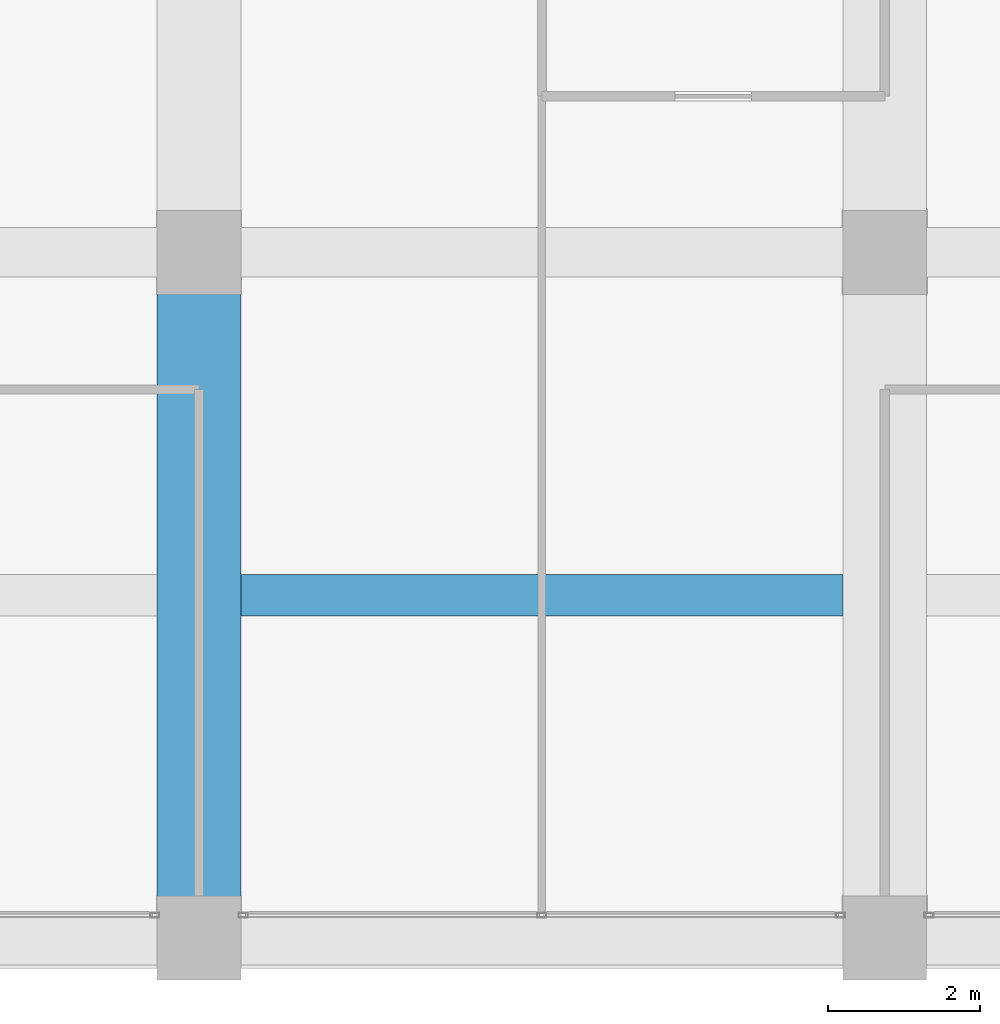
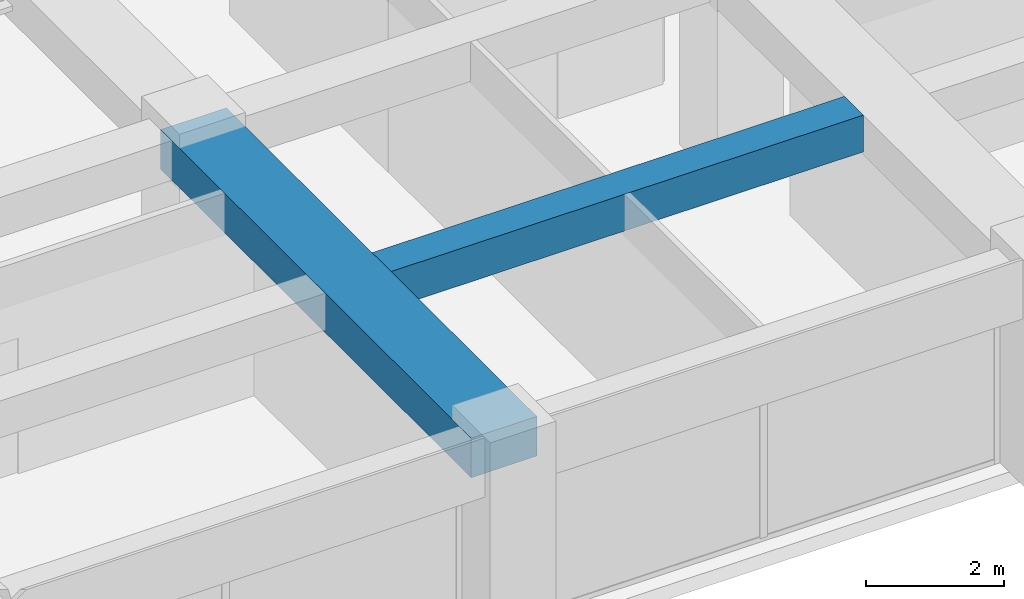
# One storey, part 10 of 44: 2 beams.
"""IFC4 building model written with IfcOpenShell, lengths in metres."""

from ifc_helpers import new_model, si_unit, direction, frame, origin, origin_2d, place, context, subcontext, project, spatial, rectangle, extrude, material, material_profile, profile_set, type_object, element, save


model = new_model("IFC4")

# Units and contexts
model_context = context("Model", 3, precision=1e-05, world=origin(), true_north=direction((0.0, 1.0)))
body_context = subcontext(model_context, "Body", "Model", "MODEL_VIEW")
ifc_project = project(units=[si_unit("LENGTHUNIT", "METRE"), si_unit("AREAUNIT", "SQUARE_METRE"), si_unit("VOLUMEUNIT", "CUBIC_METRE"), si_unit("PLANEANGLEUNIT", "RADIAN"), si_unit("MASSUNIT", "GRAM", prefix="KILO")], contexts=[model_context])

# Site, building, storey
site_placement = place(None, origin())
site = spatial("IfcSite", under=ifc_project, at=site_placement, CompositionType="ELEMENT")
building_placement = place(site_placement, origin())
building = spatial("IfcBuilding", under=site, at=building_placement, Name="Zorevar Civic Tower", CompositionType="ELEMENT")
storey_placement = place(building_placement, frame((0.0, 0.0, 271.39990234375)))
storey = spatial("IfcBuildingStorey", under=building, at=storey_placement, Name="L66", CompositionType="ELEMENT", Elevation=271.39990234375)

# Beams
ifc_material_1 = material(Name="Concrete C50/60", Category="concrete")
ifc_material_profile_1 = material_profile(ifc_material_1, rectangle(XDim=1.10009765625, YDim=0.699951171875, at=origin_2d()), Name="RC 1100x700")
ifc_profile_set_1 = profile_set([ifc_material_profile_1], Name="Concrete C50/60")
beam_type_1 = type_object("IfcBeamType", Name="Beam RC 1100x700", PredefinedType="BEAM", material=ifc_profile_set_1)
beam_1_placement = place(storey_placement, frame((27.0, 0.0, 3.400146484375), z_axis=(0.0, 1.0, 0.0), x_axis=(-1.0, 0.0, 0.0)))
element("IfcBeam", 1, at=beam_1_placement, inside=storey, type_object=beam_type_1, Name="Girder L67", PredefinedType="BEAM", context=body_context, shape_type="SweptSolid", body=[
    extrude(rectangle(XDim=1.10009765625, YDim=0.699951171875, at=origin_2d()), origin(), (0.0, 0.0, 1.0), 9.0),
])
ifc_material_2 = material(Name="Concrete C50/60", Category="concrete")
ifc_material_profile_2 = material_profile(ifc_material_2, rectangle(XDim=0.550048828125, YDim=0.64990234375, at=origin_2d()), Name="RC 550x650")
ifc_profile_set_2 = profile_set([ifc_material_profile_2], Name="Concrete C50/60")
beam_type_2 = type_object("IfcBeamType", Name="Beam RC 550x650", PredefinedType="BEAM", material=ifc_profile_set_2)
beam_2_placement = place(storey_placement, frame((27.550048828125, 4.5, 3.425048828125), z_axis=(1.0, 0.0, 0.0), x_axis=(0.0, 1.0, 0.0)))
element("IfcBeam", 2, at=beam_2_placement, inside=storey, type_object=beam_type_2, Name="Secondary beam L67", PredefinedType="BEAM", context=body_context, shape_type="SweptSolid", body=[
    extrude(rectangle(XDim=0.550048828125, YDim=0.64990234375, at=origin_2d()), origin(), (0.0, 0.0, 1.0), 7.89990234375),
])

save(model, "model.ifc")
